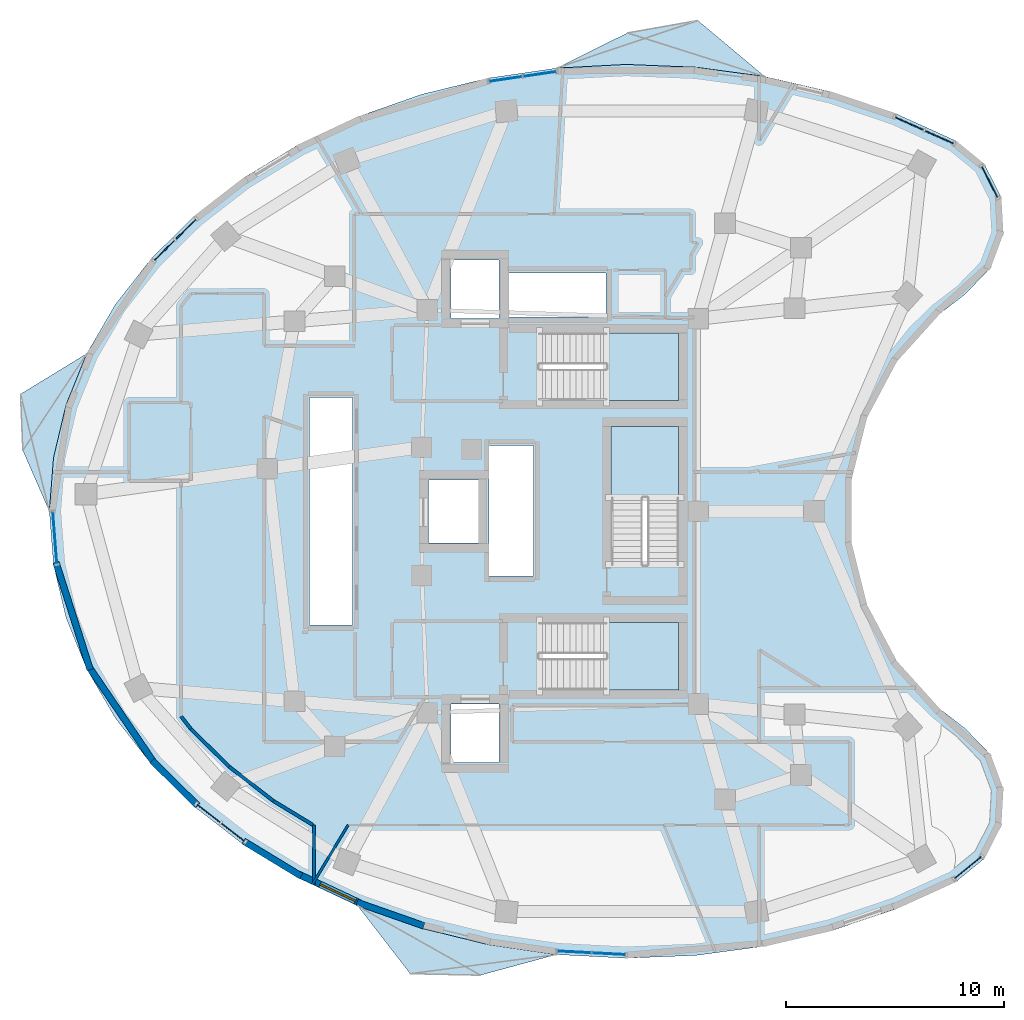
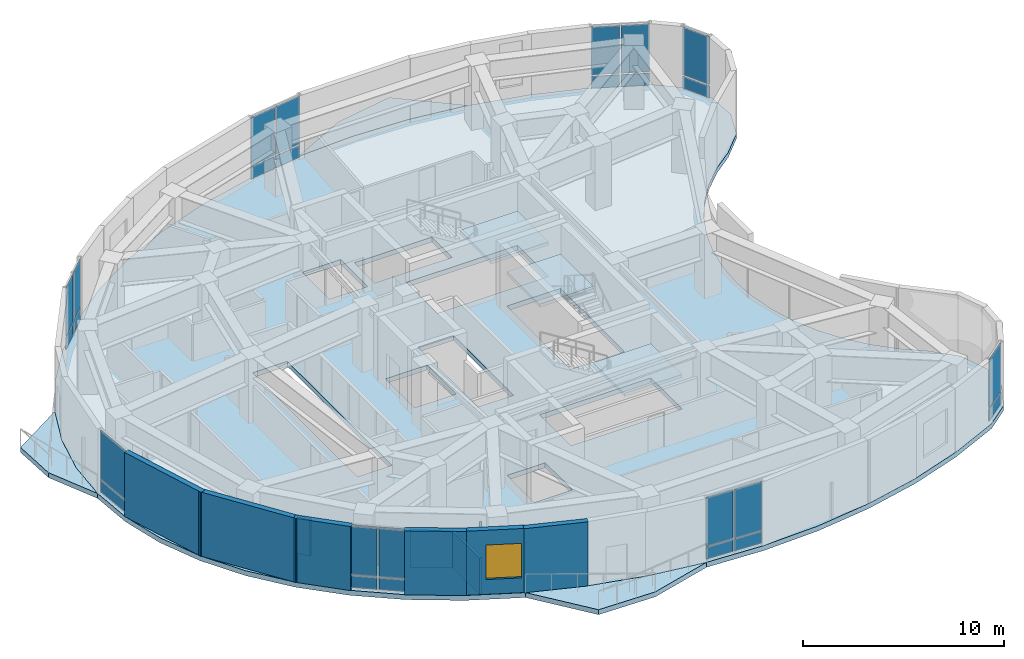
# One storey, part 5 of 12: 26 plates, 12 walls, 7 slabs, 1 window, 1 opening, 11 elements without a shape of their own.
"""IFC4 building model written with IfcOpenShell, lengths in metres."""

from ifc_helpers import new_model, si_unit, direction, frame, frame_2d, origin, origin_2d, place, context, subcontext, project, spatial, polyline, rectangle, outline, extrude, material, layer, layer_set, type_object, element, fill, aggregate, save


model = new_model("IFC4")

# Units and contexts
model_context = context("Model", 3, precision=1e-05, world=origin(), true_north=direction((0.0, 1.0)))
body_context = subcontext(model_context, "Body", "Model", "MODEL_VIEW")
ifc_project = project(units=[si_unit("LENGTHUNIT", "METRE"), si_unit("AREAUNIT", "SQUARE_METRE"), si_unit("VOLUMEUNIT", "CUBIC_METRE"), si_unit("PLANEANGLEUNIT", "RADIAN"), si_unit("MASSUNIT", "GRAM", prefix="KILO")], contexts=[model_context])

# Site, building, storey
site_placement = place(None, origin())
site = spatial("IfcSite", under=ifc_project, at=site_placement, CompositionType="ELEMENT")
building_placement = place(site_placement, origin())
building = spatial("IfcBuilding", under=site, at=building_placement, Name="Korentha Bioscience Tower", CompositionType="ELEMENT")
storey_placement = place(building_placement, frame((0.0, 0.0, 196.199951171875)))
storey = spatial("IfcBuildingStorey", under=building, at=storey_placement, Name="L45", CompositionType="ELEMENT", Elevation=196.199951171875)

# Curtain wall, plates
ifc_material_1 = material(Name="Thermally Broken Aluminium Frame", Category="aluminium")
ifc_layer_1 = layer(ifc_material_1, 0.219970703125, Name="Thermally Broken Aluminium Frame")
ifc_layer_set_1 = layer_set([ifc_layer_1], Name="Thermally Broken Aluminium Frame (CW-T1)")
curtain_wall_type = type_object("IfcCurtainWallType", Name="Standard Bioscience Lab Unitised Curtain Wall CW-T1", PredefinedType="USERDEFINED", material=ifc_layer_set_1)
curtain_wall_1_placement = place(storey_placement, origin())
curtain_wall_1 = element("IfcCurtainWall", 1, at=curtain_wall_1_placement, inside=storey, type_object=curtain_wall_type, Name="L45 Curtain Wall 01", ObjectType="UNITISED", PredefinedType="USERDEFINED")
ifc_material_2 = material(Name="Triple-Glazed Low-E Insulated Glass", Category="glass")
ifc_layer_2 = layer(ifc_material_2, 0.0439453125, Name="Triple-Glazed Low-E Insulated Glass")
ifc_layer_set_2 = layer_set([ifc_layer_2], Name="Triple-Glazed Low-E Insulated Glass (GL-44)")
plate_type = type_object("IfcPlateType", Name="Glazed Panel 44mm", PredefinedType="CURTAIN_PANEL", material=ifc_layer_set_2)
plate_1_placement = place(storey_placement, frame((48.625732421875, 44.190673828125, 0.08984375), z_axis=(0.0, 0.0, 1.0), x_axis=(-0.910644398392, 0.413190972406, 0.0)))
plate_1 = element("IfcPlate", 2, at=plate_1_placement, type_object=plate_type, Name="CW-L45-01 Bay 1 Glazed Panel 1", PredefinedType="CURTAIN_PANEL", context=body_context, shape_type="SweptSolid", body=[
    extrude(rectangle(XDim=1.422607421875, YDim=0.0439453125, at=origin_2d()), origin(), (0.0, 0.0, 1.0), 0.715087890625),
])
plate_2_placement = place(storey_placement, frame((48.625732421875, 44.190673828125, 0.89501953125), z_axis=(0.0, 0.0, 1.0), x_axis=(-0.910644398392, 0.413190972406, 0.0)))
plate_2 = element("IfcPlate", 3, at=plate_2_placement, type_object=plate_type, Name="CW-L45-01 Bay 1 Glazed Panel 2", PredefinedType="CURTAIN_PANEL", context=body_context, shape_type="SweptSolid", body=[
    extrude(rectangle(XDim=1.422607421875, YDim=0.0439453125, at=origin_2d()), origin(), (0.0, 0.0, 1.0), 2.9150390625),
])
plate_3_placement = place(storey_placement, frame((47.248291015625, 44.815673828125, 0.08984375), z_axis=(0.0, 0.0, 1.0), x_axis=(-0.910644398392, 0.413190972406, 0.0)))
plate_3 = element("IfcPlate", 4, at=plate_3_placement, type_object=plate_type, Name="CW-L45-01 Bay 2 Glazed Panel 1", PredefinedType="CURTAIN_PANEL", context=body_context, shape_type="SweptSolid", body=[
    extrude(rectangle(XDim=1.422607421875, YDim=0.0439453125, at=origin_2d()), origin(), (0.0, 0.0, 1.0), 0.715087890625),
])
plate_4_placement = place(storey_placement, frame((47.248291015625, 44.815673828125, 0.89501953125), z_axis=(0.0, 0.0, 1.0), x_axis=(-0.910644398392, 0.413190972406, 0.0)))
plate_4 = element("IfcPlate", 5, at=plate_4_placement, type_object=plate_type, Name="CW-L45-01 Bay 2 Glazed Panel 2", PredefinedType="CURTAIN_PANEL", context=body_context, shape_type="SweptSolid", body=[
    extrude(rectangle(XDim=1.422607421875, YDim=0.0439453125, at=origin_2d()), origin(), (0.0, 0.0, 1.0), 2.9150390625),
])
aggregate(curtain_wall_1, [plate_1, plate_2, plate_3, plate_4])

curtain_wall_2_placement = place(storey_placement, origin())
curtain_wall_2 = element("IfcCurtainWall", 6, at=curtain_wall_2_placement, inside=storey, type_object=curtain_wall_type, Name="L45 Curtain Wall 07", ObjectType="UNITISED", PredefinedType="USERDEFINED")
plate_5_placement = place(storey_placement, frame((30.27099609375, 47.090087890625, 0.08984375), z_axis=(0.0, 0.0, 1.0), x_axis=(-0.989461919888, -0.144793332342, 0.0)))
plate_5 = element("IfcPlate", 7, at=plate_5_placement, type_object=plate_type, Name="CW-L45-07 Bay 1 Glazed Panel 1", PredefinedType="CURTAIN_PANEL", context=body_context, shape_type="SweptSolid", body=[
    extrude(rectangle(XDim=1.498291015625, YDim=0.0439453125, at=origin_2d()), origin(), (0.0, 0.0, 1.0), 0.715087890625),
])
plate_6_placement = place(storey_placement, frame((30.27099609375, 47.090087890625, 0.89501953125), z_axis=(0.0, 0.0, 1.0), x_axis=(-0.989461919888, -0.144793332342, 0.0)))
plate_6 = element("IfcPlate", 8, at=plate_6_placement, type_object=plate_type, Name="CW-L45-07 Bay 1 Glazed Panel 2", PredefinedType="CURTAIN_PANEL", context=body_context, shape_type="SweptSolid", body=[
    extrude(rectangle(XDim=1.498291015625, YDim=0.0439453125, at=origin_2d()), origin(), (0.0, 0.0, 1.0), 2.9150390625),
])
plate_7_placement = place(storey_placement, frame((28.69921875, 46.860107421875, 0.08984375), z_axis=(0.0, 0.0, 1.0), x_axis=(-0.989461919888, -0.144793332342, 0.0)))
plate_7 = element("IfcPlate", 9, at=plate_7_placement, type_object=plate_type, Name="CW-L45-07 Bay 2 Glazed Panel 1", PredefinedType="CURTAIN_PANEL", context=body_context, shape_type="SweptSolid", body=[
    extrude(rectangle(XDim=1.498291015625, YDim=0.0439453125, at=origin_2d()), origin(), (0.0, 0.0, 1.0), 0.715087890625),
])
plate_8_placement = place(storey_placement, frame((28.69921875, 46.860107421875, 0.89501953125), z_axis=(0.0, 0.0, 1.0), x_axis=(-0.989461919888, -0.144793332342, 0.0)))
plate_8 = element("IfcPlate", 10, at=plate_8_placement, type_object=plate_type, Name="CW-L45-07 Bay 2 Glazed Panel 2", PredefinedType="CURTAIN_PANEL", context=body_context, shape_type="SweptSolid", body=[
    extrude(rectangle(XDim=1.498291015625, YDim=0.0439453125, at=origin_2d()), origin(), (0.0, 0.0, 1.0), 2.9150390625),
])
aggregate(curtain_wall_2, [plate_5, plate_6, plate_7, plate_8])

curtain_wall_3_placement = place(storey_placement, origin())
curtain_wall_3 = element("IfcCurtainWall", 11, at=curtain_wall_3_placement, inside=storey, type_object=curtain_wall_type, Name="L45 Curtain Wall 13", ObjectType="UNITISED", PredefinedType="USERDEFINED")
plate_9_placement = place(storey_placement, frame((14.00830078125, 39.957763671875, 0.08984375), z_axis=(0.0, 0.0, 1.0), x_axis=(-0.711460557971, -0.702726030862, 0.0)))
plate_9 = element("IfcPlate", 12, at=plate_9_placement, type_object=plate_type, Name="CW-L45-13 Bay 1 Glazed Panel 1", PredefinedType="CURTAIN_PANEL", context=body_context, shape_type="SweptSolid", body=[
    extrude(rectangle(XDim=1.290283203125, YDim=0.0439453125, at=origin_2d()), origin(), (0.0, 0.0, 1.0), 0.715087890625),
])
plate_10_placement = place(storey_placement, frame((14.00830078125, 39.957763671875, 0.89501953125), z_axis=(0.0, 0.0, 1.0), x_axis=(-0.711460557971, -0.702726030862, 0.0)))
plate_10 = element("IfcPlate", 13, at=plate_10_placement, type_object=plate_type, Name="CW-L45-13 Bay 1 Glazed Panel 2", PredefinedType="CURTAIN_PANEL", context=body_context, shape_type="SweptSolid", body=[
    extrude(rectangle(XDim=1.290283203125, YDim=0.0439453125, at=origin_2d()), origin(), (0.0, 0.0, 1.0), 2.9150390625),
])
plate_11_placement = place(storey_placement, frame((13.0263671875, 38.98779296875, 0.08984375), z_axis=(0.0, 0.0, 1.0), x_axis=(-0.711460557971, -0.702726030862, 0.0)))
plate_11 = element("IfcPlate", 14, at=plate_11_placement, type_object=plate_type, Name="CW-L45-13 Bay 2 Glazed Panel 1", PredefinedType="CURTAIN_PANEL", context=body_context, shape_type="SweptSolid", body=[
    extrude(rectangle(XDim=1.290283203125, YDim=0.0439453125, at=origin_2d()), origin(), (0.0, 0.0, 1.0), 0.715087890625),
])
plate_12_placement = place(storey_placement, frame((13.0263671875, 38.98779296875, 0.89501953125), z_axis=(0.0, 0.0, 1.0), x_axis=(-0.711460557971, -0.702726030862, 0.0)))
plate_12 = element("IfcPlate", 15, at=plate_12_placement, type_object=plate_type, Name="CW-L45-13 Bay 2 Glazed Panel 2", PredefinedType="CURTAIN_PANEL", context=body_context, shape_type="SweptSolid", body=[
    extrude(rectangle(XDim=1.290283203125, YDim=0.0439453125, at=origin_2d()), origin(), (0.0, 0.0, 1.0), 2.9150390625),
])
aggregate(curtain_wall_3, [plate_9, plate_10, plate_11, plate_12])

curtain_wall_4_placement = place(storey_placement, origin())
curtain_wall_4 = element("IfcCurtainWall", 16, at=curtain_wall_4_placement, inside=storey, type_object=curtain_wall_type, Name="L45 Curtain Wall 19", ObjectType="UNITISED", PredefinedType="USERDEFINED")
plate_13_placement = place(storey_placement, frame((7.991943359375, 25.781005859375, 0.08984375), z_axis=(0.0, 0.0, 1.0), x_axis=(0.078030772566, -0.996950950916, 0.0)))
plate_13 = element("IfcPlate", 17, at=plate_13_placement, type_object=plate_type, Name="CW-L45-19 Bay 1 Glazed Panel 1", PredefinedType="CURTAIN_PANEL", context=body_context, shape_type="SweptSolid", body=[
    extrude(rectangle(XDim=2.370361328125, YDim=0.0439453125, at=origin_2d()), origin(), (0.0, 0.0, 1.0), 0.715087890625),
])
plate_14_placement = place(storey_placement, frame((7.991943359375, 25.781005859375, 0.89501953125), z_axis=(0.0, 0.0, 1.0), x_axis=(0.078030772566, -0.996950950916, 0.0)))
plate_14 = element("IfcPlate", 18, at=plate_14_placement, type_object=plate_type, Name="CW-L45-19 Bay 1 Glazed Panel 2", PredefinedType="CURTAIN_PANEL", context=body_context, shape_type="SweptSolid", body=[
    extrude(rectangle(XDim=2.370361328125, YDim=0.0439453125, at=origin_2d()), origin(), (0.0, 0.0, 1.0), 2.9150390625),
])
aggregate(curtain_wall_4, [plate_13, plate_14])

curtain_wall_5_placement = place(storey_placement, origin())
curtain_wall_5 = element("IfcCurtainWall", 19, at=curtain_wall_5_placement, inside=storey, type_object=curtain_wall_type, Name="L45 Curtain Wall 25", ObjectType="UNITISED", PredefinedType="USERDEFINED")
plate_15_placement = place(storey_placement, frame((15.0556640625, 13.126953125, 0.08984375), z_axis=(0.0, 0.0, 1.0), x_axis=(0.790546796919, -0.612401634454, 0.0)))
plate_15 = element("IfcPlate", 20, at=plate_15_placement, type_object=plate_type, Name="CW-L45-25 Bay 1 Glazed Panel 1", PredefinedType="CURTAIN_PANEL", context=body_context, shape_type="SweptSolid", body=[
    extrude(rectangle(XDim=1.3349609375, YDim=0.0439453125, at=origin_2d()), origin(), (0.0, 0.0, 1.0), 0.715087890625),
])
plate_16_placement = place(storey_placement, frame((15.0556640625, 13.126953125, 0.89501953125), z_axis=(0.0, 0.0, 1.0), x_axis=(0.790546796919, -0.612401634454, 0.0)))
plate_16 = element("IfcPlate", 21, at=plate_16_placement, type_object=plate_type, Name="CW-L45-25 Bay 1 Glazed Panel 2", PredefinedType="CURTAIN_PANEL", context=body_context, shape_type="SweptSolid", body=[
    extrude(rectangle(XDim=1.3349609375, YDim=0.0439453125, at=origin_2d()), origin(), (0.0, 0.0, 1.0), 2.9150390625),
])
plate_17_placement = place(storey_placement, frame((16.18212890625, 12.25439453125, 0.08984375), z_axis=(0.0, 0.0, 1.0), x_axis=(0.790546796919, -0.612401634454, 0.0)))
plate_17 = element("IfcPlate", 22, at=plate_17_placement, type_object=plate_type, Name="CW-L45-25 Bay 2 Glazed Panel 1", PredefinedType="CURTAIN_PANEL", context=body_context, shape_type="SweptSolid", body=[
    extrude(rectangle(XDim=1.3349609375, YDim=0.0439453125, at=origin_2d()), origin(), (0.0, 0.0, 1.0), 0.715087890625),
])
plate_18_placement = place(storey_placement, frame((16.18212890625, 12.25439453125, 0.89501953125), z_axis=(0.0, 0.0, 1.0), x_axis=(0.790546796919, -0.612401634454, 0.0)))
plate_18 = element("IfcPlate", 23, at=plate_18_placement, type_object=plate_type, Name="CW-L45-25 Bay 2 Glazed Panel 2", PredefinedType="CURTAIN_PANEL", context=body_context, shape_type="SweptSolid", body=[
    extrude(rectangle(XDim=1.3349609375, YDim=0.0439453125, at=origin_2d()), origin(), (0.0, 0.0, 1.0), 2.9150390625),
])
aggregate(curtain_wall_5, [plate_15, plate_16, plate_17, plate_18])

curtain_wall_6_placement = place(storey_placement, origin())
curtain_wall_6 = element("IfcCurtainWall", 24, at=curtain_wall_6_placement, inside=storey, type_object=curtain_wall_type, Name="L45 Curtain Wall 31", ObjectType="UNITISED", PredefinedType="USERDEFINED")
plate_19_placement = place(storey_placement, frame((31.849853515625, 6.75390625, 0.08984375), z_axis=(0.0, 0.0, 1.0), x_axis=(0.998637677307, -0.052180355139, 0.0)))
plate_19 = element("IfcPlate", 25, at=plate_19_placement, type_object=plate_type, Name="CW-L45-31 Bay 1 Glazed Panel 1", PredefinedType="CURTAIN_PANEL", context=body_context, shape_type="SweptSolid", body=[
    extrude(rectangle(XDim=1.50830078125, YDim=0.0439453125, at=origin_2d()), origin(), (0.0, 0.0, 1.0), 0.715087890625),
])
plate_20_placement = place(storey_placement, frame((31.849853515625, 6.75390625, 0.89501953125), z_axis=(0.0, 0.0, 1.0), x_axis=(0.998637677307, -0.052180355139, 0.0)))
plate_20 = element("IfcPlate", 26, at=plate_20_placement, type_object=plate_type, Name="CW-L45-31 Bay 1 Glazed Panel 2", PredefinedType="CURTAIN_PANEL", context=body_context, shape_type="SweptSolid", body=[
    extrude(rectangle(XDim=1.50830078125, YDim=0.0439453125, at=origin_2d()), origin(), (0.0, 0.0, 1.0), 2.9150390625),
])
plate_21_placement = place(storey_placement, frame((33.446044921875, 6.67041015625, 0.08984375), z_axis=(0.0, 0.0, 1.0), x_axis=(0.998637677307, -0.052180355139, 0.0)))
plate_21 = element("IfcPlate", 27, at=plate_21_placement, type_object=plate_type, Name="CW-L45-31 Bay 2 Glazed Panel 1", PredefinedType="CURTAIN_PANEL", context=body_context, shape_type="SweptSolid", body=[
    extrude(rectangle(XDim=1.50830078125, YDim=0.0439453125, at=origin_2d()), origin(), (0.0, 0.0, 1.0), 0.715087890625),
])
plate_22_placement = place(storey_placement, frame((33.446044921875, 6.67041015625, 0.89501953125), z_axis=(0.0, 0.0, 1.0), x_axis=(0.998637677307, -0.052180355139, 0.0)))
plate_22 = element("IfcPlate", 28, at=plate_22_placement, type_object=plate_type, Name="CW-L45-31 Bay 2 Glazed Panel 2", PredefinedType="CURTAIN_PANEL", context=body_context, shape_type="SweptSolid", body=[
    extrude(rectangle(XDim=1.50830078125, YDim=0.0439453125, at=origin_2d()), origin(), (0.0, 0.0, 1.0), 2.9150390625),
])
aggregate(curtain_wall_6, [plate_19, plate_20, plate_21, plate_22])

curtain_wall_7_placement = place(storey_placement, origin())
curtain_wall_7 = element("IfcCurtainWall", 29, at=curtain_wall_7_placement, inside=storey, type_object=curtain_wall_type, Name="L45 Curtain Wall 37", ObjectType="UNITISED", PredefinedType="USERDEFINED")
plate_23_placement = place(storey_placement, frame((49.938720703125, 10.637451171875, 0.08984375), z_axis=(0.0, 0.0, 1.0), x_axis=(0.77425646139, 0.632871971251, 0.0)))
plate_23 = element("IfcPlate", 30, at=plate_23_placement, type_object=plate_type, Name="CW-L45-37 Bay 1 Glazed Panel 1", PredefinedType="CURTAIN_PANEL", context=body_context, shape_type="SweptSolid", body=[
    extrude(rectangle(XDim=1.591796875, YDim=0.0439453125, at=origin_2d()), origin(), (0.0, 0.0, 1.0), 0.715087890625),
])
plate_24_placement = place(storey_placement, frame((49.938720703125, 10.637451171875, 0.89501953125), z_axis=(0.0, 0.0, 1.0), x_axis=(0.77425646139, 0.632871971251, 0.0)))
plate_24 = element("IfcPlate", 31, at=plate_24_placement, type_object=plate_type, Name="CW-L45-37 Bay 1 Glazed Panel 2", PredefinedType="CURTAIN_PANEL", context=body_context, shape_type="SweptSolid", body=[
    extrude(rectangle(XDim=1.591796875, YDim=0.0439453125, at=origin_2d()), origin(), (0.0, 0.0, 1.0), 2.9150390625),
])
aggregate(curtain_wall_7, [plate_23, plate_24])

curtain_wall_8_placement = place(storey_placement, origin())
curtain_wall_8 = element("IfcCurtainWall", 32, at=curtain_wall_8_placement, inside=storey, type_object=curtain_wall_type, Name="L45 Curtain Wall 61", ObjectType="UNITISED", PredefinedType="USERDEFINED")
plate_25_placement = place(storey_placement, frame((50.936767578125, 42.124755859375, 0.08984375), z_axis=(0.0, 0.0, 1.0), x_axis=(-0.45428845847, 0.890854643868, 0.0)))
plate_25 = element("IfcPlate", 33, at=plate_25_placement, type_object=plate_type, Name="CW-L45-61 Bay 1 Glazed Panel 1", PredefinedType="CURTAIN_PANEL", context=body_context, shape_type="SweptSolid", body=[
    extrude(rectangle(XDim=1.591796875, YDim=0.0439453125, at=origin_2d()), origin(), (0.0, 0.0, 1.0), 0.715087890625),
])
plate_26_placement = place(storey_placement, frame((50.936767578125, 42.124755859375, 0.89501953125), z_axis=(0.0, 0.0, 1.0), x_axis=(-0.45428845847, 0.890854643868, 0.0)))
plate_26 = element("IfcPlate", 34, at=plate_26_placement, type_object=plate_type, Name="CW-L45-61 Bay 1 Glazed Panel 2", PredefinedType="CURTAIN_PANEL", context=body_context, shape_type="SweptSolid", body=[
    extrude(rectangle(XDim=1.591796875, YDim=0.0439453125, at=origin_2d()), origin(), (0.0, 0.0, 1.0), 2.9150390625),
])
aggregate(curtain_wall_8, [plate_25, plate_26])

# Slab
ifc_material_3 = material(Name="Concrete C50", Category="concrete")
ifc_layer_3 = layer(ifc_material_3, 0.300048828125, Name="Concrete C50")
ifc_layer_set_3 = layer_set([ifc_layer_3], Name="Concrete C50 (SL-L300)")
slab_type_1 = type_object("IfcSlabType", Name="Laboratory Vibration-Controlled Slab 300", PredefinedType="FLOOR", material=ifc_layer_set_3)
slab_1_placement = place(storey_placement, frame((0.0, 0.0, -0.300048828125)))
element("IfcSlab", 35, at=slab_1_placement, inside=storey, type_object=slab_type_1, Name="L45 Tower Structural Floor Slab", PredefinedType="FLOOR", context=body_context, shape_type="SweptSolid", body=[
    extrude(outline(polyline([(49.38525390625, 44.021728515625), (46.62109375, 45.27587890625), (43.681396484375, 46.266357421875), (40.608154296875, 46.978515625), (37.446044921875, 47.40234375), (34.24072265625, 47.531494140625), (31.038330078125, 47.364013671875), (27.88525390625, 46.902587890625), (24.826904296875, 46.154052734375), (21.907470703125, 45.128662109375), (19.169189453125, 43.841552734375), (16.6513671875, 42.311279296875), (14.390380859375, 40.56005859375), (12.419189453125, 38.613037109375), (10.76611328125, 36.498291015625), (9.454833984375, 34.246337890625), (8.504638671875, 31.889892578125), (7.9287109375, 29.462646484375), (7.736083984375, 27.0), (7.9287109375, 24.537353515625), (8.504638671875, 22.110107421875), (9.454833984375, 19.753662109375), (10.76611328125, 17.501708984375), (12.419189453125, 15.386962890625), (14.390380859375, 13.43994140625), (16.6513671875, 11.688720703125), (19.169189453125, 10.158447265625), (21.907470703125, 8.871337890625), (24.826904296875, 7.845947265625), (27.88525390625, 7.097412109375), (31.038330078125, 6.635986328125), (34.24072265625, 6.468505859375), (37.446044921875, 6.59765625), (40.608154296875, 7.021484375), (43.681396484375, 7.733642578125), (46.62109375, 8.72412109375), (49.38525390625, 9.978271484375), (50.695068359375, 11.048828125), (51.46337890625, 12.55615234375), (51.560791015625, 14.2451171875), (50.970458984375, 15.83056640625), (49.792236328125, 17.044677734375), (48.629150390625, 17.937255859375), (47.583251953125, 18.96484375), (46.670654296875, 20.1123046875), (45.904541015625, 21.3623046875), (45.29638671875, 22.696533203125), (44.855712890625, 24.094970703125), (44.58837890625, 25.53662109375), (44.498779296875, 27.0), (44.58837890625, 28.46337890625), (44.855712890625, 29.905029296875), (45.29638671875, 31.303466796875), (45.904541015625, 32.6376953125), (46.670654296875, 33.8876953125), (47.583251953125, 35.03515625), (48.629150390625, 36.062744140625), (49.792236328125, 36.955322265625), (50.970458984375, 38.16943359375), (51.560791015625, 39.7548828125), (51.46337890625, 41.44384765625), (50.695068359375, 42.951171875), (49.38525390625, 44.021728515625)]), holes=[polyline([(30.25, 32.10009765625), (36.64990234375, 32.10009765625), (36.64990234375, 35.199951171875), (30.25, 35.199951171875), (30.25, 32.10009765625)]), polyline([(30.25, 18.800048828125), (36.64990234375, 18.800048828125), (36.64990234375, 21.89990234375), (30.25, 21.89990234375), (30.25, 18.800048828125)]), polyline([(36.64990234375, 24.550048828125), (36.64990234375, 30.89990234375), (33.550048828125, 30.89990234375), (33.550048828125, 24.550048828125), (36.64990234375, 24.550048828125)]), polyline([(19.679931640625, 21.780029296875), (21.669921875, 21.780029296875), (21.669921875, 32.219970703125), (19.679931640625, 32.219970703125), (19.679931640625, 21.780029296875)]), polyline([(27.929931640625, 24.030029296875), (29.969970703125, 24.030029296875), (29.969970703125, 30.02001953125), (27.929931640625, 30.02001953125), (27.929931640625, 24.030029296875)]), polyline([(28.860107421875, 35.93994140625), (33.31005859375, 35.93994140625), (33.31005859375, 37.9599609375), (28.860107421875, 37.9599609375), (28.860107421875, 35.93994140625)]), polyline([(26.199951171875, 15.449951171875), (28.39990234375, 15.449951171875), (28.39990234375, 18.14990234375), (26.199951171875, 18.14990234375), (26.199951171875, 15.449951171875)]), polyline([(26.199951171875, 35.85009765625), (28.39990234375, 35.85009765625), (28.39990234375, 38.550048828125), (26.199951171875, 38.550048828125), (26.199951171875, 35.85009765625)]), polyline([(25.14990234375, 25.550048828125), (27.550048828125, 25.550048828125), (27.550048828125, 28.449951171875), (25.14990234375, 28.449951171875), (25.14990234375, 25.550048828125)])]), origin(), (0.0, 0.0, 1.0), 0.300048828125),
])

# Stair, slab
ifc_material_4 = material(Name="Precast Concrete C50", Category="concrete")
stair_type = type_object("IfcStairType", Name="Core Exit Dog-Leg Stair 1450", PredefinedType="HALF_TURN_STAIR", material=ifc_material_4)
stair_1_placement = place(storey_placement, origin())
stair_1 = element("IfcStair", 36, at=stair_1_placement, inside=storey, type_object=stair_type, Name="L45 Tower North Pressurized Exit Stair ST-1", PredefinedType="HALF_TURN_STAIR")
ifc_layer_4 = layer(ifc_material_3, 0.199951171875, Name="Concrete C50")
ifc_layer_set_4 = layer_set([ifc_layer_4], Name="Concrete C50 (SL-LND)")
slab_type_2 = type_object("IfcSlabType", Name="Landing Slab 200", PredefinedType="LANDING", material=ifc_layer_set_4)
slab_2_placement = place(storey_placement, frame((0.0, 0.0, 1.900146484375)))
slab_2 = element("IfcSlab", 37, at=slab_2_placement, type_object=slab_type_2, Name="ST-1 landing 1", PredefinedType="LANDING", context=body_context, shape_type="SweptSolid", body=[
    extrude(outline(polyline([(33.330078125, 32.10009765625), (36.64990234375, 32.10009765625), (36.64990234375, 35.199951171875), (33.330078125, 35.199951171875), (33.330078125, 32.10009765625)])), origin(), (0.0, 0.0, 1.0), 0.199951171875),
])
aggregate(stair_1, [slab_2])

stair_2_placement = place(storey_placement, origin())
stair_2 = element("IfcStair", 38, at=stair_2_placement, inside=storey, type_object=stair_type, Name="L45 Tower South Pressurized Exit Stair ST-2", PredefinedType="HALF_TURN_STAIR")
slab_3_placement = place(storey_placement, frame((0.0, 0.0, 1.900146484375)))
slab_3 = element("IfcSlab", 39, at=slab_3_placement, type_object=slab_type_2, Name="ST-2 landing 1", PredefinedType="LANDING", context=body_context, shape_type="SweptSolid", body=[
    extrude(outline(polyline([(33.330078125, 18.800048828125), (36.64990234375, 18.800048828125), (36.64990234375, 21.89990234375), (33.330078125, 21.89990234375), (33.330078125, 18.800048828125)])), origin(), (0.0, 0.0, 1.0), 0.199951171875),
])
aggregate(stair_2, [slab_3])

stair_3_placement = place(storey_placement, origin())
stair_3 = element("IfcStair", 40, at=stair_3_placement, inside=storey, type_object=stair_type, Name="L45 Tower Central Pressurized Exit Stair ST-3", PredefinedType="HALF_TURN_STAIR")
slab_4_placement = place(storey_placement, frame((0.0, 0.0, 1.900146484375)))
slab_4 = element("IfcSlab", 41, at=slab_4_placement, type_object=slab_type_2, Name="ST-3 landing 1", PredefinedType="LANDING", context=body_context, shape_type="SweptSolid", body=[
    extrude(outline(polyline([(36.64990234375, 27.6298828125), (36.64990234375, 30.89990234375), (33.550048828125, 30.89990234375), (33.550048828125, 27.6298828125), (36.64990234375, 27.6298828125)])), origin(), (0.0, 0.0, 1.0), 0.199951171875),
])
aggregate(stair_3, [slab_4])

# Slabs
ifc_layer_5 = layer(ifc_material_3, 0.300048828125, Name="Concrete C50")
ifc_layer_set_5 = layer_set([ifc_layer_5], Name="Concrete C50 (BS-240)")
slab_type_3 = type_object("IfcSlabType", Name="Sawtooth Sun-Ledge Balcony Slab 240", PredefinedType="USERDEFINED", material=ifc_layer_set_5)
slab_5_placement = place(storey_placement, frame((0.0, 0.0, -0.300048828125)))
element("IfcSlab", 42, at=slab_5_placement, inside=storey, type_object=slab_type_3, Name="L45 Sun-Ledge Balcony 01", ObjectType="BALCONY", PredefinedType="USERDEFINED", context=body_context, shape_type="SweptSolid", body=[
    extrude(outline(polyline([(31.038330078125, 47.364013671875), (34.24072265625, 47.531494140625), (37.446044921875, 47.40234375), (40.608154296875, 46.978515625), (37.53271484375, 49.550537109375), (34.29931640625, 48.980224609375), (31.038330078125, 47.364013671875)])), origin(), (0.0, 0.0, 1.0), 0.300048828125),
])
slab_6_placement = place(storey_placement, frame((0.0, 0.0, -0.300048828125)))
element("IfcSlab", 43, at=slab_6_placement, inside=storey, type_object=slab_type_3, Name="L45 Sun-Ledge Balcony 02", ObjectType="BALCONY", PredefinedType="USERDEFINED", context=body_context, shape_type="SweptSolid", body=[
    extrude(outline(polyline([(7.736083984375, 27.0), (7.9287109375, 29.462646484375), (8.504638671875, 31.889892578125), (9.454833984375, 34.246337890625), (6.41259765625, 32.385986328125), (6.517822265625, 29.79736328125), (7.736083984375, 27.0)])), origin(), (0.0, 0.0, 1.0), 0.300048828125),
])
slab_7_placement = place(storey_placement, frame((0.0, 0.0, -0.300048828125)))
element("IfcSlab", 44, at=slab_7_placement, inside=storey, type_object=slab_type_3, Name="L45 Sun-Ledge Balcony 03", ObjectType="BALCONY", PredefinedType="USERDEFINED", context=body_context, shape_type="SweptSolid", body=[
    extrude(outline(polyline([(31.038330078125, 6.635986328125), (27.88525390625, 7.097412109375), (24.826904296875, 7.845947265625), (21.907470703125, 8.871337890625), (24.315673828125, 5.7578125), (27.54052734375, 5.68896484375), (31.038330078125, 6.635986328125)])), origin(), (0.0, 0.0, 1.0), 0.300048828125),
])

# Walls
ifc_material_5 = material(Name="Double-Stud Acoustic Gypsum", Category="gypsum")
ifc_layer_6 = layer(ifc_material_5, 0.14990234375, Name="Double-Stud Acoustic Gypsum")
ifc_layer_set_6 = layer_set([ifc_layer_6], Name="Double-Stud Acoustic Gypsum (IW-L150)")
wall_type_1 = type_object("IfcWallType", Name="Acoustic Laboratory Partition Wall 150", PredefinedType="PARTITIONING", material=ifc_layer_set_6)
wall_1_placement = place(storey_placement, frame((13.7919921875, 17.576416015625, 0.0), z_axis=(0.0, 0.0, 1.0), x_axis=(0.615925776879, -0.787804187204, 0.0)))
element("IfcWall", 45, at=wall_1_placement, inside=storey, type_object=wall_type_1, Name="L45 Interior Partition 020", PredefinedType="PARTITIONING", context=body_context, shape_type="SweptSolid", body=[
    extrude(rectangle(XDim=0.722900390625, YDim=0.14990234375, at=frame_2d((0.361328125, 0.0))), origin(), (0.0, 0.0, 1.0), 2.219970703125),
])
wall_2_placement = place(storey_placement, frame((14.23828125, 17.005859375, 0.0), z_axis=(0.0, 0.0, 1.0), x_axis=(0.711447157113, -0.702739598027, 0.0)))
element("IfcWall", 46, at=wall_2_placement, inside=storey, type_object=wall_type_1, Name="L45 Interior Partition 021", PredefinedType="PARTITIONING", context=body_context, shape_type="SweptSolid", body=[
    extrude(rectangle(XDim=2.46728515625, YDim=0.14990234375, at=frame_2d((1.233642578125, 0.0))), origin(), (0.0, 0.0, 1.0), 2.219970703125),
])
wall_3_placement = place(storey_placement, frame((15.99462890625, 15.27099609375, 0.0), z_axis=(0.0, 0.0, 1.0), x_axis=(0.790550458789, -0.61239690733, 0.0)))
element("IfcWall", 47, at=wall_3_placement, inside=storey, type_object=wall_type_1, Name="L45 Interior Partition 022", PredefinedType="PARTITIONING", context=body_context, shape_type="SweptSolid", body=[
    extrude(rectangle(XDim=2.574951171875, YDim=0.14990234375, at=frame_2d((1.28759765625, 0.0))), origin(), (0.0, 0.0, 1.0), 2.219970703125),
])
wall_4_placement = place(storey_placement, frame((18.03125, 13.693603515625, 0.0), z_axis=(0.0, 0.0, 1.0), x_axis=(0.85454497186, -0.51937740716, 0.0)))
element("IfcWall", 48, at=wall_4_placement, inside=storey, type_object=wall_type_1, Name="L45 Interior Partition 023", PredefinedType="PARTITIONING", context=body_context, shape_type="SweptSolid", body=[
    extrude(rectangle(XDim=2.121826171875, YDim=0.14990234375, at=frame_2d((1.06103515625, 0.0))), origin(), (0.0, 0.0, 1.0), 2.219970703125),
])
wall_5_placement = place(storey_placement, frame((19.89794921875, 12.590087890625, 0.0), z_axis=(0.0, 0.0, 1.0), x_axis=(0.0, -1.0, 0.0)))
element("IfcWall", 49, at=wall_5_placement, inside=storey, type_object=wall_type_1, Name="L45 Interior Partition 024", PredefinedType="PARTITIONING", context=body_context, shape_type="SweptSolid", body=[
    extrude(rectangle(XDim=2.723876953125, YDim=0.14990234375, at=frame_2d((1.36181640625, 0.0))), origin(), (0.0, 0.0, 1.0), 2.219970703125),
])
ifc_material_6 = material(Name="Fire-Rated Framed Glass", Category="glass")
ifc_layer_7 = layer(ifc_material_6, 0.110107421875, Name="Fire-Rated Framed Glass")
ifc_layer_set_7 = layer_set([ifc_layer_7], Name="Fire-Rated Framed Glass (IW-G110)")
wall_type_2 = type_object("IfcWallType", Name="Demountable Glazed Office Partition 110", PredefinedType="MOVABLE", material=ifc_layer_set_7)
wall_6_placement = place(storey_placement, frame((19.830810546875, 9.87109375, 0.0), z_axis=(0.0, 0.0, 1.0), x_axis=(0.51499369767, 0.857193963675, 0.0)))
element("IfcWall", 50, at=wall_6_placement, inside=storey, type_object=wall_type_2, Name="L45 Interior Partition 031", PredefinedType="MOVABLE", context=body_context, shape_type="SweptSolid", body=[
    extrude(rectangle(XDim=3.171875, YDim=0.110107421875, at=frame_2d((1.5859375, 0.0))), origin(), (0.0, 0.0, 1.0), 2.219970703125),
])

# Wall, opening, window
ifc_material_7 = material(Name="Honed Limestone Precast Concrete C40", Category="masonry")
ifc_layer_8 = layer(ifc_material_7, 0.300048828125, Name="Honed Limestone Precast Concrete C40")
ifc_layer_set_8 = layer_set([ifc_layer_8], Name="Honed Limestone Precast Concrete C40 (EW-ST300)")
wall_type_3 = type_object("IfcWallType", Name="Honed Limestone Cavity Spandrel Wall 300", PredefinedType="STANDARD", material=ifc_layer_set_8)
wall_7_placement = place(storey_placement, frame((19.182861328125, 10.32861328125, 0.0), z_axis=(0.0, 0.0, 1.0), x_axis=(0.905013842092, -0.425382117186, 0.0)))
wall_7 = element("IfcWall", 51, at=wall_7_placement, inside=storey, type_object=wall_type_3, Name="L45 Honed Limestone Spandrel Wall 27", PredefinedType="STANDARD", context=body_context, shape_type="SweptSolid", body=[
    extrude(rectangle(XDim=3.145751953125, YDim=0.300048828125, at=frame_2d((1.57275390625, 0.0))), origin(), (0.0, 0.0, 1.0), 3.900146484375),
])
opening_placement = place(wall_7_placement, frame((1.097412109375, 0.0, 0.89990234375)))
opening = element("IfcOpeningElement", 52, at=opening_placement, cuts=wall_7, Name="Opening WN-01", PredefinedType="OPENING", context=body_context, shape_type="SweptSolid", body=[
    extrude(rectangle(XDim=1.800048828125, YDim=2.10009765625, at=frame_2d((0.89990234375, 1.050048828125))), frame((0.0, 0.1650390625, 0.0), z_axis=(0.0, -1.0, 0.0), x_axis=(1.0, 0.0, 0.0)), (0.0, 0.0, 1.0), 0.329833984375),
])
ifc_material_8 = material(Name="Thermally Broken Aluminium Triple Glazing", Category="aluminium")
window_type = type_object("IfcWindowType", Name="Triple-Glazed Fixed Bioscience Window 1800x2100", PartitioningType="SINGLE_PANEL", PredefinedType="WINDOW", material=ifc_material_8)
window_placement = place(opening_placement, origin())
window = element("IfcWindow", 53, at=window_placement, inside=storey, type_object=window_type, Name="L45 Facade Window 27", OverallHeight=2.10009765625, OverallWidth=1.800048828125, PartitioningType="SINGLE_PANEL", PredefinedType="WINDOW", context=body_context, shape_type="SweptSolid", body=[
    extrude(rectangle(XDim=1.800048828125, YDim=2.10009765625, at=frame_2d((0.89990234375, 1.050048828125))), frame((0.0, 0.030029296875, 0.0), z_axis=(0.0, -1.0, 0.0), x_axis=(1.0, 0.0, 0.0)), (0.0, 0.0, 1.0), 0.06005859375),
])
fill(opening, window)

# Walls
wall_8_placement = place(storey_placement, frame((8.037841796875, 24.656005859375, 0.0), z_axis=(0.0, 0.0, 1.0), x_axis=(0.303930984078, -0.952694052106, 0.0)))
element("IfcWall", 54, at=wall_8_placement, inside=storey, type_object=wall_type_3, Name="L45 Limestone Perimeter Closure Wall 20", PredefinedType="STANDARD", context=body_context, shape_type="SweptSolid", body=[
    extrude(rectangle(XDim=5.18115234375, YDim=0.300048828125, at=frame_2d((2.590576171875, 0.0))), origin(), (0.0, 0.0, 1.0), 3.900146484375),
])
wall_9_placement = place(storey_placement, frame((9.52587890625, 19.8984375, 0.0), z_axis=(0.0, 0.0, 1.0), x_axis=(0.561663900064, -0.827365495634, 0.0)))
element("IfcWall", 55, at=wall_9_placement, inside=storey, type_object=wall_type_3, Name="L45 Limestone Perimeter Closure Wall 22", PredefinedType="STANDARD", context=body_context, shape_type="SweptSolid", body=[
    extrude(rectangle(XDim=5.437744140625, YDim=0.300048828125, at=frame_2d((2.71875, 0.0))), origin(), (0.0, 0.0, 1.0), 3.900146484375),
])
wall_10_placement = place(storey_placement, frame((12.460693359375, 15.542724609375, 0.0), z_axis=(0.0, 0.0, 1.0), x_axis=(0.711508162911, -0.702677830951, 0.0)))
element("IfcWall", 56, at=wall_10_placement, inside=storey, type_object=wall_type_3, Name="L45 Limestone Perimeter Closure Wall 24", PredefinedType="STANDARD", context=body_context, shape_type="SweptSolid", body=[
    extrude(rectangle(XDim=2.9306640625, YDim=0.300048828125, at=frame_2d((1.46533203125, 0.0))), origin(), (0.0, 0.0, 1.0), 3.900146484375),
])
wall_11_placement = place(storey_placement, frame((16.655517578125, 11.849853515625, 0.0), z_axis=(0.0, 0.0, 1.0), x_axis=(0.854580756668, -0.519318524928, 0.0)))
element("IfcWall", 57, at=wall_11_placement, inside=storey, type_object=wall_type_3, Name="L45 Limestone Perimeter Closure Wall 26", PredefinedType="STANDARD", context=body_context, shape_type="SweptSolid", body=[
    extrude(rectangle(XDim=3.1064453125, YDim=0.300048828125, at=frame_2d((1.55322265625, 0.0))), origin(), (0.0, 0.0, 1.0), 3.900146484375),
])
wall_12_placement = place(storey_placement, frame((21.87841796875, 9.02978515625, 0.0), z_axis=(0.0, 0.0, 1.0), x_axis=(0.94352100271, -0.331312718509, 0.0)))
element("IfcWall", 58, at=wall_12_placement, inside=storey, type_object=wall_type_3, Name="L45 Limestone Perimeter Closure Wall 28", PredefinedType="STANDARD", context=body_context, shape_type="SweptSolid", body=[
    extrude(rectangle(XDim=3.254150390625, YDim=0.300048828125, at=frame_2d((1.626953125, 0.0))), origin(), (0.0, 0.0, 1.0), 3.900146484375),
])

save(model, "model.ifc")
